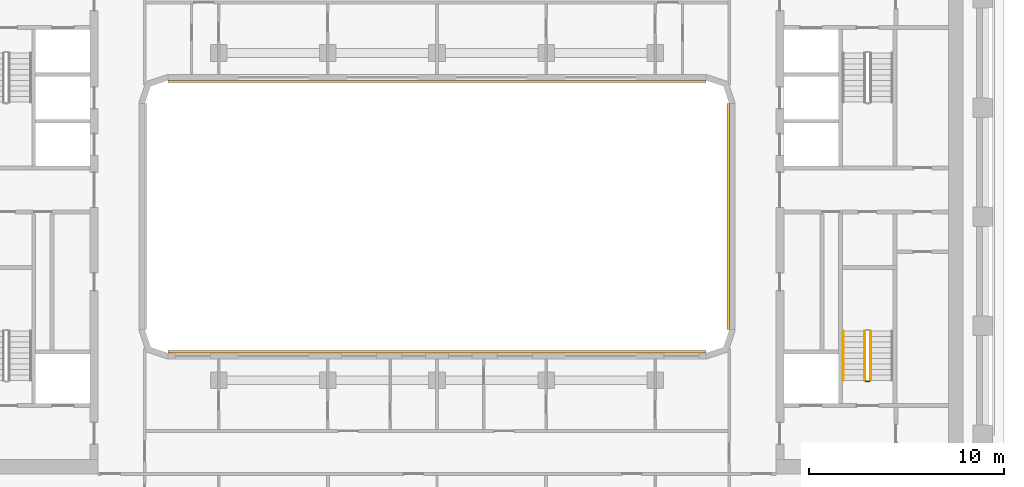
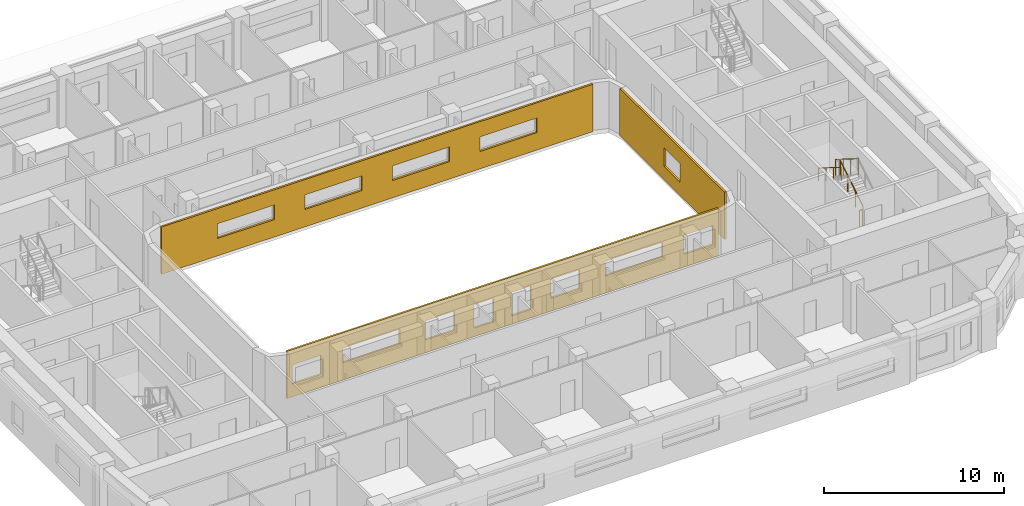
# One storey, part 16 of 22: 4 railings, 3 coverings.
"""IFC4 building model written with IfcOpenShell, lengths in metres."""

from ifc_helpers import new_model, si_unit, direction, frame, origin, origin_2d, place, context, subcontext, project, spatial, polyline, circle, outline, extrude, material, layer, layer_set, type_object, element, save


model = new_model("IFC4")

# Units and contexts
model_context = context("Model", 3, precision=1e-05, world=origin(), true_north=direction((0.0, 1.0)))
body_context = subcontext(model_context, "Body", "Model", "MODEL_VIEW")
ifc_project = project(units=[si_unit("LENGTHUNIT", "METRE"), si_unit("AREAUNIT", "SQUARE_METRE"), si_unit("VOLUMEUNIT", "CUBIC_METRE"), si_unit("PLANEANGLEUNIT", "RADIAN"), si_unit("MASSUNIT", "GRAM", prefix="KILO")], contexts=[model_context])

# Site, building, storey
site_placement = place(None, origin())
site = spatial("IfcSite", under=ifc_project, at=site_placement, CompositionType="ELEMENT")
building_placement = place(site_placement, origin())
building = spatial("IfcBuilding", under=site, at=building_placement, Name="Kiln Ring Residences", CompositionType="ELEMENT")
storey_placement = place(building_placement, frame((0.0, 0.0, 171.10009765625)))
storey = spatial("IfcBuildingStorey", under=building, at=storey_placement, Name="L44", CompositionType="ELEMENT", Elevation=171.10009765625)

# Railings
ifc_material_1 = material(Name="Stainless steel", Category="steel")
railing_type_1 = type_object("IfcRailingType", Name="CORE-STAIR-GUARD", PredefinedType="GUARDRAIL", material=ifc_material_1)
railing_1_placement = place(storey_placement, frame((22.25, -8.39990234375, 0.1748046875)))
element("IfcRailing", 1, at=railing_1_placement, inside=storey, type_object=railing_type_1, Name="L44 E-STS stair guard 1", PredefinedType="GUARDRAIL", context=body_context, shape_type="SweptSolid", body=[
    extrude(circle(Radius=0.02392578125, at=origin_2d()), frame((0.0, 0.0, 1.076171875), z_axis=(0.0, 0.847970611238, 0.530043245855), x_axis=(-1.0, 0.0, 0.0)), (0.0, 0.0, 1.0), 2.971923828125),
    extrude(circle(Radius=0.02099609375, at=origin_2d()), origin(), (0.0, 0.0, 1.0), 1.052001953125),
    extrude(circle(Radius=0.02099609375, at=origin_2d()), frame((0.0, 0.840087890625, 0.525146484375)), (0.0, 0.0, 1.0), 1.052001953125),
    extrude(circle(Radius=0.02099609375, at=origin_2d()), frame((0.0, 1.679931640625, 1.050048828125)), (0.0, 0.0, 1.0), 1.052001953125),
    extrude(circle(Radius=0.02099609375, at=origin_2d()), frame((0.0, 2.52001953125, 1.5751953125)), (0.0, 0.0, 1.0), 1.052001953125),
])
railing_2_placement = place(storey_placement, frame((21.949951171875, -5.8798828125, 1.9248046875)))
element("IfcRailing", 2, at=railing_2_placement, inside=storey, type_object=railing_type_1, Name="L44 E-STS stair guard 3", PredefinedType="GUARDRAIL", context=body_context, shape_type="SweptSolid", body=[
    extrude(circle(Radius=0.02392578125, at=origin_2d()), frame((0.0, 0.0, 1.076171875), z_axis=(0.0, -0.847970611238, 0.530043245855), x_axis=(1.0, 0.0, 0.0)), (0.0, 0.0, 1.0), 2.971923828125),
    extrude(circle(Radius=0.02099609375, at=origin_2d()), origin(), (0.0, 0.0, 1.0), 1.052001953125),
    extrude(circle(Radius=0.02099609375, at=origin_2d()), frame((0.0, -0.840087890625, 0.525146484375)), (0.0, 0.0, 1.0), 1.052001953125),
    extrude(circle(Radius=0.02099609375, at=origin_2d()), frame((0.0, -1.679931640625, 1.050048828125)), (0.0, 0.0, 1.0), 1.052001953125),
    extrude(circle(Radius=0.02099609375, at=origin_2d()), frame((0.0, -2.52001953125, 1.5751953125)), (0.0, 0.0, 1.0), 1.052001953125),
])
railing_3_placement = place(storey_placement, frame((22.199951171875, -8.449951171875, 0.0)))
element("IfcRailing", 3, at=railing_3_placement, inside=storey, type_object=railing_type_1, Name="L44 E-STS stair guard 4", PredefinedType="GUARDRAIL", context=body_context, shape_type="SweptSolid", body=[
    extrude(circle(Radius=0.02392578125, at=origin_2d()), frame((0.0, 0.0, 1.076171875), z_axis=(-1.0, 0.0, 0.0), x_axis=(0.0, -1.0, 0.0)), (0.0, 0.0, 1.0), 0.199951171875),
    extrude(circle(Radius=0.02099609375, at=origin_2d()), origin(), (0.0, 0.0, 1.0), 1.052001953125),
    extrude(circle(Radius=0.02099609375, at=origin_2d()), frame((-0.199951171875, 0.0, 0.0)), (0.0, 0.0, 1.0), 1.052001953125),
])
ifc_material_2 = material(Name="Stainless steel", Category="steel")
railing_type_2 = type_object("IfcRailingType", Name="CORE-STAIR-HANDRAIL", PredefinedType="HANDRAIL", material=ifc_material_2)
railing_4_placement = place(storey_placement, frame((20.85009765625, -5.8798828125, 1.9248046875)))
element("IfcRailing", 4, at=railing_4_placement, inside=storey, type_object=railing_type_2, Name="L44 E-STS stair handrail 2", PredefinedType="HANDRAIL", context=body_context, shape_type="SweptSolid", body=[
    extrude(circle(Radius=0.02392578125, at=origin_2d()), frame((0.0, 0.0, 0.8759765625), z_axis=(0.0, -0.847970611238, 0.530043245855), x_axis=(1.0, 0.0, 0.0)), (0.0, 0.0, 1.0), 2.971923828125),
    extrude(circle(Radius=0.02099609375, at=origin_2d()), origin(), (0.0, 0.0, 1.0), 0.851806640625),
    extrude(circle(Radius=0.02099609375, at=origin_2d()), frame((0.0, -0.840087890625, 0.525146484375)), (0.0, 0.0, 1.0), 0.851806640625),
    extrude(circle(Radius=0.02099609375, at=origin_2d()), frame((0.0, -1.679931640625, 1.050048828125)), (0.0, 0.0, 1.0), 0.851806640625),
    extrude(circle(Radius=0.02099609375, at=origin_2d()), frame((0.0, -2.52001953125, 1.5751953125)), (0.0, 0.0, 1.0), 0.851806640625),
])

# Coverings
ifc_material_3 = material(Name="Brick masonry, dark clay brick", Category="masonry")
ifc_layer = layer(ifc_material_3, 0.1201171875)
ifc_layer_set = layer_set([ifc_layer], Name="RAINSCREEN PANEL 120")
covering_type = type_object("IfcCoveringType", Name="RAINSCREEN PANEL 120", PredefinedType="CLADDING", material=ifc_layer_set)
covering_1_placement = place(storey_placement, frame((-13.800048828125, 6.93994140625, 0.0), z_axis=(0.0, 0.0, 1.0), x_axis=(1.0, 0.0, 0.0)))
element("IfcCovering", 5, at=covering_1_placement, inside=storey, type_object=covering_type, Name="RAINSCREEN L44", PredefinedType="CLADDING", context=body_context, shape_type="SweptSolid", body=[
    extrude(outline(polyline([(0.0, 0.0), (27.60009765625, 0.0), (27.60009765625, 3.199951171875), (0.0, 3.199951171875), (0.0, 0.0)]), holes=[polyline([(7.219970703125, 1.179931640625), (7.219970703125, 2.169921875), (3.580078125, 2.169921875), (3.580078125, 1.179931640625), (7.219970703125, 1.179931640625)]), polyline([(12.820068359375, 1.179931640625), (12.820068359375, 2.169921875), (9.179931640625, 2.169921875), (9.179931640625, 1.179931640625), (12.820068359375, 1.179931640625)]), polyline([(18.419921875, 1.179931640625), (18.419921875, 2.169921875), (14.780029296875, 2.169921875), (14.780029296875, 1.179931640625), (18.419921875, 1.179931640625)]), polyline([(24.02001953125, 1.179931640625), (24.02001953125, 2.169921875), (20.3798828125, 2.169921875), (20.3798828125, 1.179931640625), (24.02001953125, 1.179931640625)])]), frame((0.0, 0.06005859375, 0.0), z_axis=(0.0, -1.0, 0.0), x_axis=(1.0, 0.0, 0.0)), (0.0, 0.0, 1.0), 0.1201171875),
])
covering_2_placement = place(storey_placement, frame((14.93994140625, 5.800048828125, 0.0), z_axis=(0.0, 0.0, 1.0), x_axis=(0.0, -1.0, 0.0)))
element("IfcCovering", 6, at=covering_2_placement, inside=storey, type_object=covering_type, Name="RAINSCREEN L44", PredefinedType="CLADDING", context=body_context, shape_type="SweptSolid", body=[
    extrude(outline(polyline([(0.0, 0.0), (11.60009765625, 0.0), (11.60009765625, 3.199951171875), (0.0, 3.199951171875), (0.0, 0.0)]), holes=[polyline([(4.89990234375, 2.14990234375), (4.89990234375, 0.89990234375), (6.699951171875, 0.89990234375), (6.699951171875, 2.14990234375), (4.89990234375, 2.14990234375)])]), frame((0.0, 0.06005859375, 0.0), z_axis=(0.0, -1.0, 0.0), x_axis=(1.0, 0.0, 0.0)), (0.0, 0.0, 1.0), 0.1201171875),
])
covering_3_placement = place(storey_placement, frame((13.800048828125, -6.93994140625, 0.0), z_axis=(0.0, 0.0, 1.0), x_axis=(-1.0, 0.0, 0.0)))
element("IfcCovering", 7, at=covering_3_placement, inside=storey, type_object=covering_type, Name="RAINSCREEN L44", PredefinedType="CLADDING", context=body_context, shape_type="SweptSolid", body=[
    extrude(outline(polyline([(0.0, 0.0), (27.60009765625, 0.0), (27.60009765625, 3.199951171875), (0.0, 3.199951171875), (0.0, 0.0)]), holes=[polyline([(11.97998046875, 0.579833984375), (13.219970703125, 0.579833984375), (13.219970703125, 2.169921875), (11.97998046875, 2.169921875), (11.97998046875, 0.579833984375)]), polyline([(14.3798828125, 0.579833984375), (15.6201171875, 0.579833984375), (15.6201171875, 2.169921875), (14.3798828125, 2.169921875), (14.3798828125, 0.579833984375)]), polyline([(0.342529296875, 0.8798828125), (2.1826171875, 0.8798828125), (2.1826171875, 2.169921875), (0.342529296875, 2.169921875), (0.342529296875, 0.8798828125)]), polyline([(8.8798828125, 0.8798828125), (10.719970703125, 0.8798828125), (10.719970703125, 2.169921875), (8.8798828125, 2.169921875), (8.8798828125, 0.8798828125)]), polyline([(16.8798828125, 0.8798828125), (18.719970703125, 0.8798828125), (18.719970703125, 2.169921875), (16.8798828125, 2.169921875), (16.8798828125, 0.8798828125)]), polyline([(25.41748046875, 0.8798828125), (27.257568359375, 0.8798828125), (27.257568359375, 2.169921875), (25.41748046875, 2.169921875), (25.41748046875, 0.8798828125)]), polyline([(3.580078125, 1.179931640625), (7.219970703125, 1.179931640625), (7.219970703125, 2.169921875), (3.580078125, 2.169921875), (3.580078125, 1.179931640625)]), polyline([(20.3798828125, 1.179931640625), (24.02001953125, 1.179931640625), (24.02001953125, 2.169921875), (20.3798828125, 2.169921875), (20.3798828125, 1.179931640625)])]), frame((0.0, 0.06005859375, 0.0), z_axis=(0.0, -1.0, 0.0), x_axis=(1.0, 0.0, 0.0)), (0.0, 0.0, 1.0), 0.1201171875),
])

save(model, "model.ifc")
